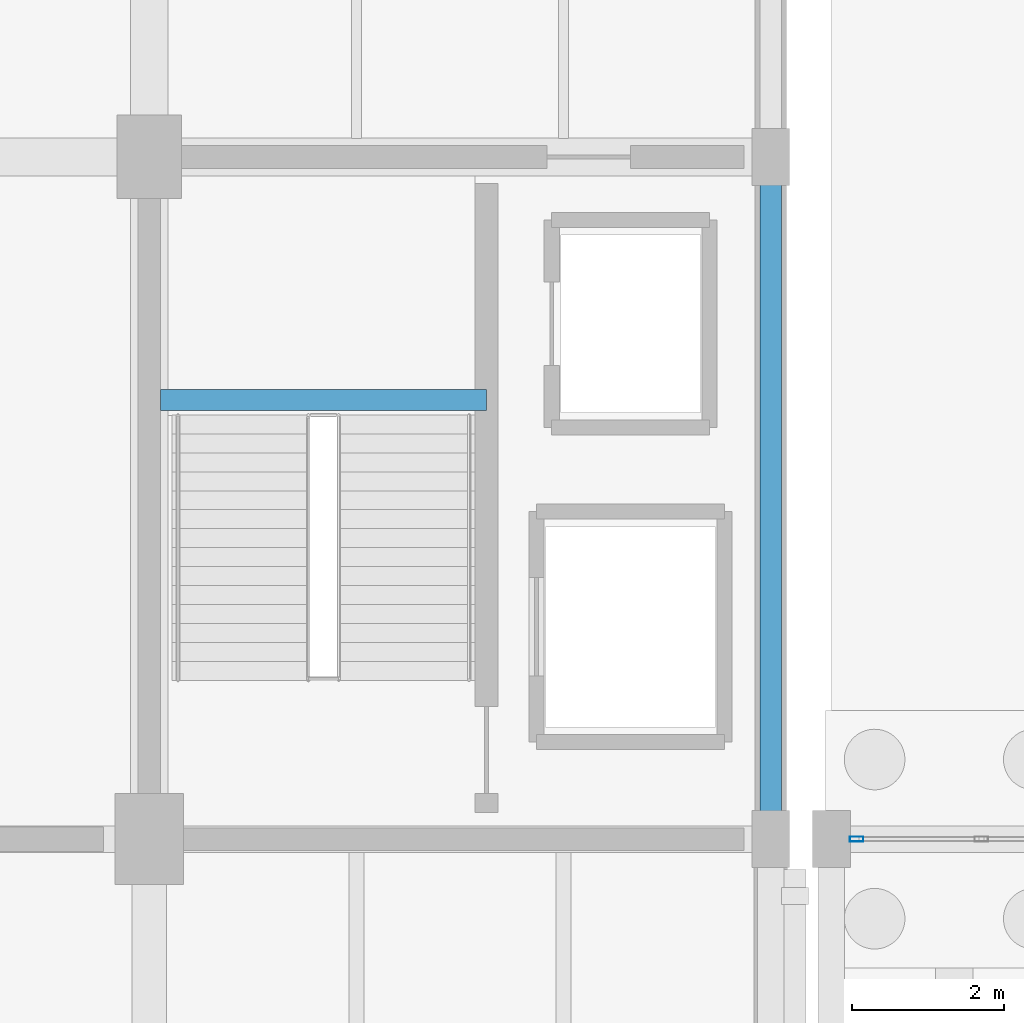
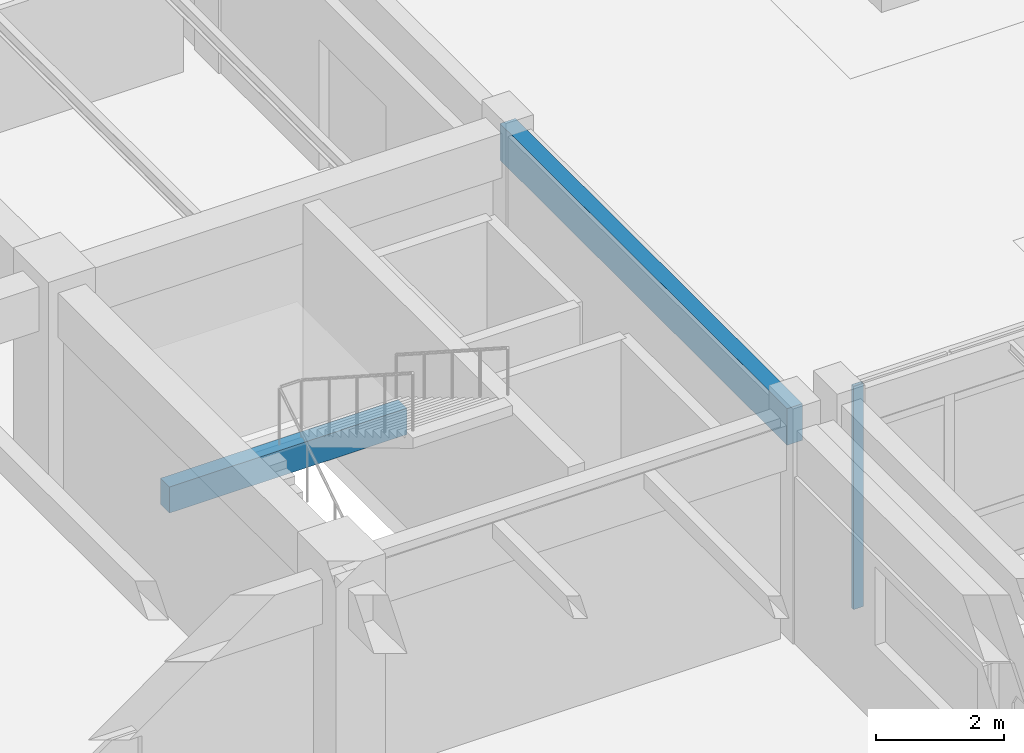
# One storey, part 47 of 186: 2 beams, 1 member, 1 element without a shape of its own.
"""IFC4 building model written with IfcOpenShell, lengths in metres."""

import ifcopenshell
import ifcopenshell.guid

model = None  # the IFC model being written
_history = None  # IfcOwnerHistory: only IFC2X3 demands one
_inside = {}  # id of a spatial element -> (the spatial element, [elements in it])
_under = {}  # id of a project, library or spatial element -> (it, [spatial elements below it])
_declared = {}  # id of a project -> (the project, [libraries it declares])
_typed = {}  # id of a type object -> (the type object, [elements of that type])
_made_of = {}  # id of a material, layer set ... -> (it, [elements and type objects made of it])


def new_model(schema):
    """Start an empty IFC model of exactly this schema.

    Asked for "IFC4X3", IfcOpenShell would pick the latest addendum, in which some entities
    have other attributes; the version numbers below select the first issue.
    IFC2X3 requires an IfcOwnerHistory on every rooted entity: one is made here for all.
    """
    global model, _history
    if schema == "IFC4X3":
        model = ifcopenshell.file(schema_version=(4, 3, 0, 0))
    else:
        model = ifcopenshell.file(schema=schema)
    _inside.clear()
    _under.clear()
    _declared.clear()
    _typed.clear()
    _made_of.clear()
    _history = None
    if model.schema == "IFC2X3":
        org = make("IfcOrganization", Name="unknown")
        user = make(
            "IfcPersonAndOrganization",
            ThePerson=make("IfcPerson", FamilyName="unknown"),
            TheOrganization=org,
        )
        app = make(
            "IfcApplication",
            ApplicationDeveloper=org,
            Version="unknown",
            ApplicationFullName="unknown",
            ApplicationIdentifier="unknown",
        )
        _history = make(
            "IfcOwnerHistory",
            OwningUser=user,
            OwningApplication=app,
            ChangeAction="ADDED",
            CreationDate=0,
        )
    return model


def make(cls, **values):
    """One entity of the class cls with the attributes given. An attribute that is None is left unset."""
    return model.create_entity(
        cls, **{name: value for name, value in values.items() if value is not None}
    )


def rooted(cls, **values):
    """An entity with a GlobalId (a new one), such as an element, a storey or a relation."""
    return make(cls, GlobalId=ifcopenshell.guid.new(), OwnerHistory=_history, **values)


def si_unit(unit_type, name, prefix=None):
    """IfcSIUnit, for example si_unit("LENGTHUNIT", "METRE", prefix="MILLI")."""
    return make("IfcSIUnit", UnitType=unit_type, Prefix=prefix, Name=name)


def assignment(units):
    """IfcUnitAssignment: the units of a project."""
    return None if units is None else make("IfcUnitAssignment", Units=units)


def point(xyz):
    """IfcCartesianPoint."""
    return None if xyz is None else make("IfcCartesianPoint", Coordinates=xyz)


def direction(xyz):
    """IfcDirection."""
    return None if xyz is None else make("IfcDirection", DirectionRatios=xyz)


def frame(location, z_axis=None, x_axis=None):
    """IfcAxis2Placement3D, a coordinate frame: its origin and axes. An axis left out is left unset."""
    return make(
        "IfcAxis2Placement3D",
        Location=point(location),
        Axis=direction(z_axis),
        RefDirection=direction(x_axis),
    )


def frame_2d(location, x_axis=None):
    """IfcAxis2Placement2D, a coordinate frame in the plane: its origin and x axis."""
    return make(
        "IfcAxis2Placement2D", Location=point(location), RefDirection=direction(x_axis)
    )


def origin():
    """The frame at (0, 0, 0) with its axes left unset."""
    return frame((0.0, 0.0, 0.0))


def origin_2d():
    """The frame at (0, 0) in the plane with its x axis left unset."""
    return frame_2d((0.0, 0.0))


def place(relative_to, where):
    """IfcLocalPlacement: puts the frame where relative to a parent placement (None: the world)."""
    return make(
        "IfcLocalPlacement", PlacementRelTo=relative_to, RelativePlacement=where
    )


def context(
    kind, dimensions, precision=None, world=None, true_north=None, identifier=None
):
    """IfcGeometricRepresentationContext, for example the 3D "Model" context."""
    return make(
        "IfcGeometricRepresentationContext",
        ContextIdentifier=identifier,
        ContextType=kind,
        CoordinateSpaceDimension=dimensions,
        Precision=precision,
        WorldCoordinateSystem=world,
        TrueNorth=true_north,
    )


def subcontext(parent, identifier, kind, view, scale=None):
    """IfcGeometricRepresentationSubContext, for example "Body" below "Model"."""
    return make(
        "IfcGeometricRepresentationSubContext",
        ContextIdentifier=identifier,
        ContextType=kind,
        ParentContext=parent,
        TargetScale=scale,
        TargetView=view,
    )


def project(units=None, contexts=None):
    """IfcProject with its units and contexts."""
    return rooted(
        "IfcProject",
        Name="project",
        RepresentationContexts=contexts,
        UnitsInContext=assignment(units),
    )


def spatial(cls, under=None, at=None, **own):
    """A site, building, storey or space (cls), placed at a placement, below another one or the project."""
    s = rooted(cls, ObjectPlacement=at, **own)
    if under is not None:
        _under.setdefault(under.id(), (under, []))[1].append(s)
    return s


def profile(cls, at=None, kind="AREA", **sizes):
    """A parametric profile (cls). Its sizes go by their IFC names, for example OverallWidth=200.0."""
    return make(cls, ProfileType=kind, Position=at, **sizes)


def rectangle(**sizes):
    """IfcRectangleProfileDef."""
    return profile("IfcRectangleProfileDef", **sizes)


def hollow_rectangle(**sizes):
    """IfcRectangleHollowProfileDef."""
    return profile("IfcRectangleHollowProfileDef", **sizes)


def extrude(swept, where, along, depth):
    """IfcExtrudedAreaSolid: the profile swept, set in the frame where, extruded along a direction by depth."""
    return make(
        "IfcExtrudedAreaSolid",
        SweptArea=swept,
        Position=where,
        ExtrudedDirection=direction(along),
        Depth=depth,
    )


def shape(context_of_items, identifier, shape_type, items):
    """IfcShapeRepresentation: the items that make up one representation, for example the "Body"."""
    return make(
        "IfcShapeRepresentation",
        ContextOfItems=context_of_items,
        RepresentationIdentifier=identifier,
        RepresentationType=shape_type,
        Items=items,
    )


def material(Name=None, Category=None):
    """IfcMaterial."""
    return make("IfcMaterial", Name=Name, Category=Category)


def layer(
    of_material, thickness, ventilated=None, Name=None, Category=None, Priority=None
):
    """IfcMaterialLayer: one layer of a wall or slab, of a material (None: an air gap)."""
    return make(
        "IfcMaterialLayer",
        Material=of_material,
        LayerThickness=thickness,
        IsVentilated=ventilated,
        Name=Name,
        Category=Category,
        Priority=Priority,
    )


def layer_set(layers, Name=None):
    """IfcMaterialLayerSet."""
    return make("IfcMaterialLayerSet", MaterialLayers=layers, LayerSetName=Name)


def material_profile(
    of_material, cross_section, Name=None, Category=None, Priority=None
):
    """IfcMaterialProfile: a cross section and its material."""
    return make(
        "IfcMaterialProfile",
        Name=Name,
        Material=of_material,
        Profile=cross_section,
        Priority=Priority,
        Category=Category,
    )


def profile_set(profiles, Name=None, composite=None):
    """IfcMaterialProfileSet."""
    return make(
        "IfcMaterialProfileSet",
        Name=Name,
        MaterialProfiles=profiles,
        CompositeProfile=composite,
    )


def made_of(thing, what):
    """Note that an element or type object is made of a material, layer set ...; save() writes the relation."""
    if what is not None:
        _made_of.setdefault(what.id(), (what, []))[1].append(thing)
    return thing


def type_object(cls, material=None, **own):
    """A type object (cls), such as IfcWallType, which elements share."""
    return made_of(rooted(cls, **own), material)


def element(
    cls,
    number,
    at=None,
    inside=None,
    cuts=None,
    type_object=None,
    material=None,
    context=None,
    identifier="Body",
    shape_type=None,
    held_by="IfcProductDefinitionShape",
    body=None,
    shapes=None,
    **own,
):
    """One element of the class cls, such as IfcWall. Its Tag is "e" and its number.

    at: its placement. inside: the storey or other place that contains it. cuts: it is an
    opening in that element (IfcRelVoidsElement). A single representation is given by context,
    identifier, shape_type and body (its items); several are given by shapes. held_by: the class
    of the entity that holds the representations. save() writes the other relations.
    """
    e = rooted(cls, Tag="e%d" % number, ObjectPlacement=at, **own)
    if body is not None:
        shapes = [shape(context, identifier, shape_type, body)]
    if shapes is not None:
        e.Representation = make(held_by, Representations=shapes)
    if inside is not None:
        _inside.setdefault(inside.id(), (inside, []))[1].append(e)
    if cuts is not None:
        rooted(
            "IfcRelVoidsElement", RelatingBuildingElement=cuts, RelatedOpeningElement=e
        )
    if type_object is not None:
        _typed.setdefault(type_object.id(), (type_object, []))[1].append(e)
    return made_of(e, material)


def aggregate(whole, parts):
    """IfcRelAggregates: a whole, such as a stair, and the parts it consists of."""
    return rooted("IfcRelAggregates", RelatingObject=whole, RelatedObjects=parts)


def save(model, path):
    """Write the relations noted so far, then the file.

    IfcRelAggregates (storeys below a building ...), IfcRelContainedInSpatialStructure (elements
    in a storey), IfcRelDefinesByType, IfcRelAssociatesMaterial and IfcRelDeclares: one each for
    every whole, place, type object, material and project.
    """
    for whole, parts in _under.values():
        aggregate(whole, parts)
    for where, things in _inside.values():
        rooted(
            "IfcRelContainedInSpatialStructure",
            RelatedElements=things,
            RelatingStructure=where,
        )
    for kind, things in _typed.values():
        rooted("IfcRelDefinesByType", RelatedObjects=things, RelatingType=kind)
    for what, things in _made_of.values():
        rooted("IfcRelAssociatesMaterial", RelatedObjects=things, RelatingMaterial=what)
    for by, libraries in _declared.values():
        rooted("IfcRelDeclares", RelatingContext=by, RelatedDefinitions=libraries)
    model.write(path)


model = new_model("IFC4")

# Units and contexts
model_context = context("Model", 3, precision=1e-05, world=origin(), true_north=direction((0.0, 1.0)))
body_context = subcontext(model_context, "Body", "Model", "MODEL_VIEW")
ifc_project = project(units=[si_unit("LENGTHUNIT", "METRE"), si_unit("AREAUNIT", "SQUARE_METRE"), si_unit("VOLUMEUNIT", "CUBIC_METRE"), si_unit("PLANEANGLEUNIT", "RADIAN"), si_unit("MASSUNIT", "GRAM", prefix="KILO")], contexts=[model_context])

# Site, building, storey
site_placement = place(None, origin())
site = spatial("IfcSite", under=ifc_project, at=site_placement, CompositionType="ELEMENT")
building_placement = place(site_placement, origin())
building = spatial("IfcBuilding", under=site, at=building_placement, Name="Ornek Quay Market", CompositionType="ELEMENT")
storey_placement = place(building_placement, origin())
storey = spatial("IfcBuildingStorey", under=building, at=storey_placement, Name="L00", CompositionType="ELEMENT", Elevation=0.0)

# Beams
ifc_material_1 = material(Name="Concrete C35/45", Category="concrete")
ifc_material_profile_1 = material_profile(ifc_material_1, rectangle(XDim=0.280029296875, YDim=0.5, at=origin_2d()), Name="RC 280x500", Category="concrete")
ifc_profile_set_1 = profile_set([ifc_material_profile_1], Name="Concrete C35/45")
beam_type_1 = type_object("IfcBeamType", Name="BM-SEC-280x500", PredefinedType="JOIST", material=ifc_profile_set_1)
beam_1_placement = place(storey_placement, frame((117.14990234375, 34.7919921875, 1.8349609375), z_axis=(1.0, 0.0, 0.0), x_axis=(0.0, 1.0, 0.0)))
element("IfcBeam", 1, at=beam_1_placement, inside=storey, type_object=beam_type_1, Name="Stair landing beam BL-08", PredefinedType="JOIST", context=body_context, shape_type="SweptSolid", body=[
    extrude(rectangle(XDim=0.280029296875, YDim=0.5, at=origin_2d()), origin(), (0.0, 0.0, 1.0), 4.300048828125),
])
ifc_material_profile_2 = material_profile(ifc_material_1, rectangle(XDim=0.280029296875, YDim=0.699951171875, at=origin_2d()), Name="RC 280x700", Category="concrete")
ifc_profile_set_2 = profile_set([ifc_material_profile_2], Name="Concrete C35/45")
beam_type_2 = type_object("IfcBeamType", Name="BM-SPN-280x700", PredefinedType="SPANDREL", material=ifc_profile_set_2)
beam_2_placement = place(storey_placement, frame((125.199951171875, 29.0, 3.889892578125), z_axis=(0.0, 1.0, 0.0), x_axis=(-1.0, 0.0, 0.0)))
element("IfcBeam", 2, at=beam_2_placement, inside=storey, type_object=beam_type_2, Name="Primary beam B-SP2-042", PredefinedType="SPANDREL", context=body_context, shape_type="SweptSolid", body=[
    extrude(rectangle(XDim=0.280029296875, YDim=0.699951171875, at=origin_2d()), origin(), (0.0, 0.0, 1.0), 9.0),
])

# Curtain wall, member
ifc_material_2 = material(Name="Anodised bronze aluminium and triple low-e glass", Category="aluminium")
ifc_layer = layer(ifc_material_2, 0.199951171875, Name="Anodised bronze aluminium and triple low-e glass", Category="aluminium")
ifc_layer_set = layer_set([ifc_layer], Name="Anodised bronze aluminium and triple low-e glass")
curtain_wall_type = type_object("IfcCurtainWallType", Name="CW-CONC-MOD1800", PredefinedType="USERDEFINED", material=ifc_layer_set)
curtain_wall_placement = place(storey_placement, origin())
curtain_wall = element("IfcCurtainWall", 3, at=curtain_wall_placement, inside=storey, type_object=curtain_wall_type, Name="Curtain wall CW-027", ObjectType="CURTAIN WALL", PredefinedType="USERDEFINED")
ifc_material_3 = material(Name="Anodised aluminium 6063-T6", Category="aluminium")
ifc_material_profile_3 = material_profile(ifc_material_3, hollow_rectangle(XDim=0.06494140625, YDim=0.179931640625, WallThickness=0.00439453125, at=origin_2d()), Name="CW-MUL-65x180", Category="aluminium")
ifc_profile_set_3 = profile_set([ifc_material_profile_3], Name="Anodised aluminium 6063-T6")
member_type = type_object("IfcMemberType", Name="CW-MUL-65x180", PredefinedType="MULLION", material=ifc_profile_set_3)
member_placement = place(storey_placement, frame((126.33251953125, 29.0, 0.0), z_axis=(0.0, 0.0, 1.0), x_axis=(0.0, 1.0, 0.0)))
member = element("IfcMember", 4, at=member_placement, type_object=member_type, Name="CW-027 mullion 1", PredefinedType="MULLION", context=body_context, shape_type="SweptSolid", body=[
    extrude(hollow_rectangle(XDim=0.06494140625, YDim=0.179931640625, WallThickness=0.00439453125, at=origin_2d()), origin(), (0.0, 0.0, 1.0), 4.27001953125),
])
aggregate(curtain_wall, [member])

save(model, "model.ifc")
